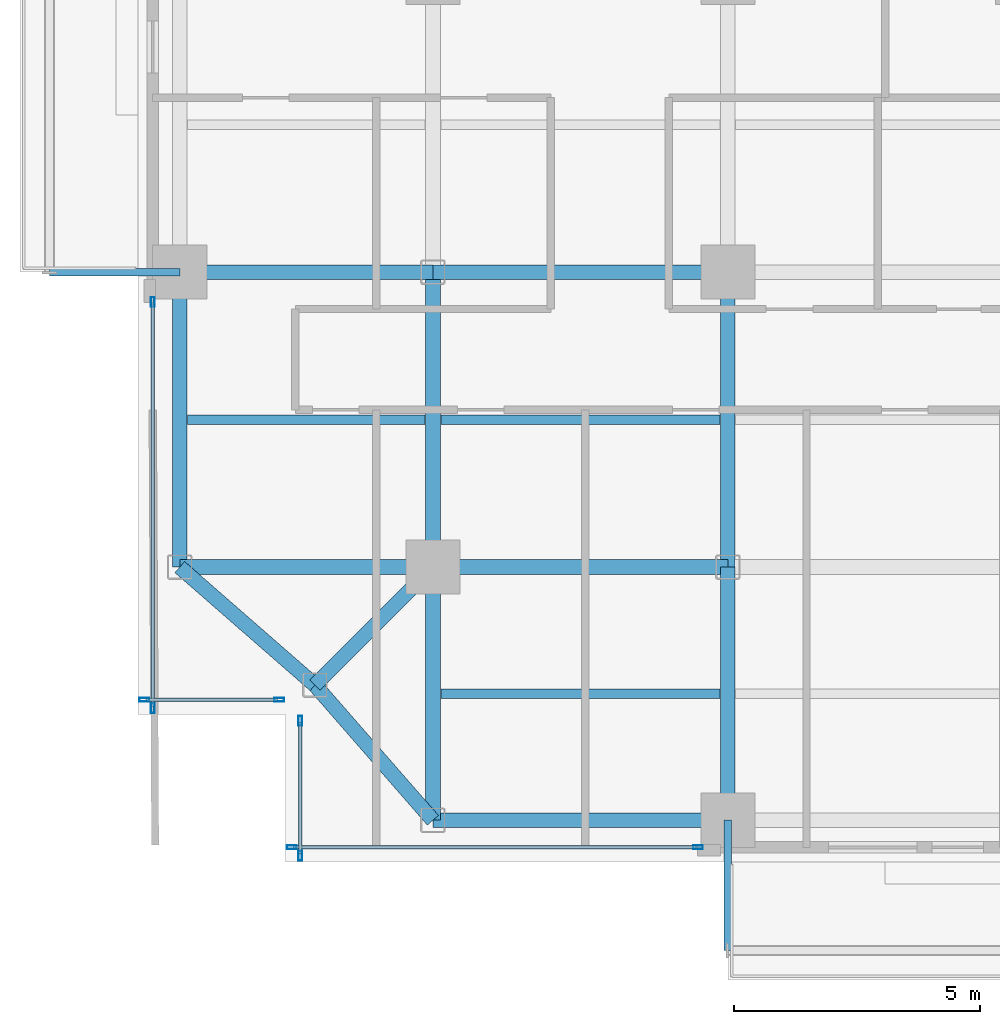
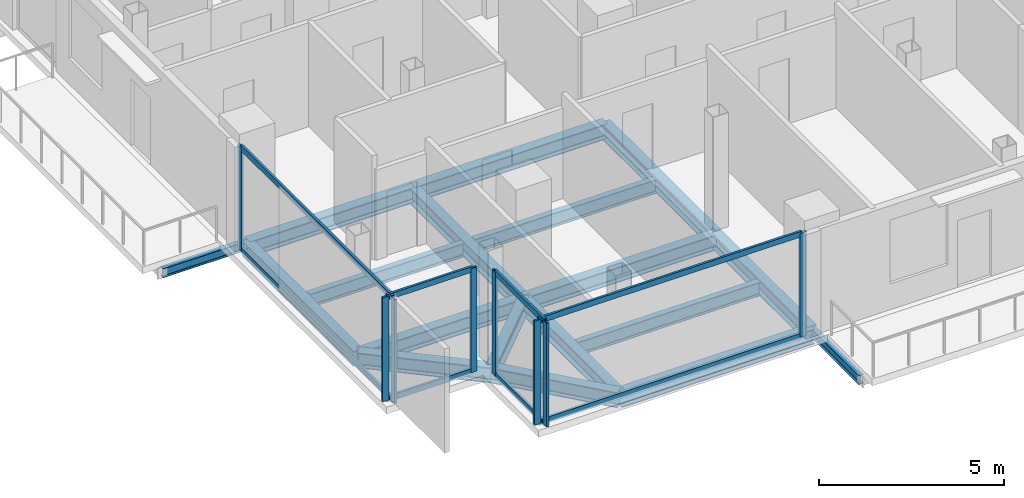
# One storey, part 2 of 24: 18 beams, 16 members, 4 elements without a shape of their own.
"""IFC4 building model written with IfcOpenShell, lengths in metres."""

from ifc_helpers import new_model, si_unit, direction, frame, origin, origin_2d, place, context, subcontext, project, spatial, hollow_rectangle, i_section, extrude, material, layer, layer_set, material_profile, profile_set, type_object, element, aggregate, save


model = new_model("IFC4")

# Units and contexts
model_context = context("Model", 3, precision=1e-05, world=origin(), true_north=direction((0.0, 1.0)))
body_context = subcontext(model_context, "Body", "Model", "MODEL_VIEW")
ifc_project = project(units=[si_unit("LENGTHUNIT", "METRE"), si_unit("AREAUNIT", "SQUARE_METRE"), si_unit("VOLUMEUNIT", "CUBIC_METRE"), si_unit("PLANEANGLEUNIT", "RADIAN"), si_unit("MASSUNIT", "GRAM", prefix="KILO"), si_unit("THERMODYNAMICTEMPERATUREUNIT", "KELVIN"), si_unit("POWERUNIT", "WATT")], contexts=[model_context])

# Site, building, storey
site_placement = place(None, origin())
site = spatial("IfcSite", under=ifc_project, at=site_placement, CompositionType="ELEMENT")
building_placement = place(site_placement, origin())
building = spatial("IfcBuilding", under=site, at=building_placement, Name="Svarakhadi Broadcast Tower", CompositionType="ELEMENT")
storey_placement = place(building_placement, frame((0.0, 0.0, 160.64990234375)))
storey = spatial("IfcBuildingStorey", under=building, at=storey_placement, Name="L39", CompositionType="ELEMENT", Elevation=160.64990234375)

# Beams
ifc_material_1 = material(Name="Steel S355J2 (IS 2062 E350C)", Category="steel")
ifc_material_profile_1 = material_profile(ifc_material_1, i_section(OverallWidth=0.18994140625, OverallDepth=0.449951171875, WebThickness=0.009521484375, FlangeThickness=0.0146484375, FilletRadius=0.02099609375, at=origin_2d()), Name="NPB 450x190x78")
ifc_profile_set_1 = profile_set([ifc_material_profile_1], Name="Steel S355J2 (IS 2062 E350C)")
beam_type_1 = type_object("IfcBeamType", Name="Beam_NPB450", PredefinedType="BEAM", material=ifc_profile_set_1)
beam_1_placement = place(storey_placement, frame((1.010009765625, 9.0, -0.449951171875), z_axis=(1.0, 0.0, 0.0), x_axis=(0.0, 1.0, 0.0)))
element("IfcBeam", 1, at=beam_1_placement, inside=storey, type_object=beam_type_1, Name="L39 Secondary Composite Beam SB001", PredefinedType="BEAM", context=body_context, shape_type="SweptSolid", body=[
    extrude(i_section(OverallWidth=0.18994140625, OverallDepth=0.449951171875, WebThickness=0.009521484375, FlangeThickness=0.0146484375, FilletRadius=0.02099609375, at=origin_2d()), origin(), (0.0, 0.0, 1.0), 4.830078125),
])
for number, where, z_axis, x_axis, name in (
    (2, (6.159912109375, 3.425048828125, -0.449951171875), (1.0, 0.0, 0.0), (0.0, 1.0, 0.0), "L39 Secondary Composite Beam SB006"),
    (3, (6.159912109375, 9.0, -0.449951171875), (1.0, 0.0, 0.0), (0.0, 1.0, 0.0), "L39 Secondary Composite Beam SB007"),
):
    element("IfcBeam", number, at=place(storey_placement, frame(where, z_axis=z_axis, x_axis=x_axis)), inside=storey, type_object=beam_type_1, Name=name, PredefinedType="BEAM", context=body_context, shape_type="SweptSolid", body=[
        extrude(i_section(OverallWidth=0.18994140625, OverallDepth=0.449951171875, WebThickness=0.009521484375, FlangeThickness=0.0146484375, FilletRadius=0.02099609375, at=origin_2d()), origin(), (0.0, 0.0, 1.0), 5.68017578125),
    ])

# Curtain wall, members
ifc_material_2 = material(Name="Anodised Bronze Aluminium AA 6063-T6", Category="aluminium")
ifc_layer = layer(ifc_material_2, 0.199951171875)
ifc_layer_set = layer_set([ifc_layer], Name="Anodised Bronze Aluminium AA 6063-T6")
curtain_wall_type = type_object("IfcCurtainWallType", Name="CW_Sys_03", PredefinedType="NOTDEFINED", material=ifc_layer_set)
curtain_wall_1_placement = place(storey_placement, origin())
curtain_wall_1 = element("IfcCurtainWall", 4, at=curtain_wall_1_placement, inside=storey, type_object=curtain_wall_type, Name="L39 Unitised Facade Curtain Wall 01", PredefinedType="NOTDEFINED")
ifc_material_profile_2 = material_profile(ifc_material_2, hollow_rectangle(XDim=0.074951171875, YDim=0.199951171875, WallThickness=0.005615234375, at=origin_2d()), Name="ALU MULLION 200x75x6")
ifc_profile_set_2 = profile_set([ifc_material_profile_2], Name="Anodised Bronze Aluminium AA 6063-T6")
member_type_1 = type_object("IfcMemberType", Name="CW_Sys_03_Mul", PredefinedType="MULLION", material=ifc_profile_set_2)
member_1_placement = place(storey_placement, frame((2.87255859375, 3.300048828125, 0.0), z_axis=(0.0, 0.0, 1.0), x_axis=(0.0, -1.0, 0.0)))
member_1 = element("IfcMember", 5, at=member_1_placement, type_object=member_type_1, Name="CW-03 mullion 1", PredefinedType="MULLION", context=body_context, shape_type="SweptSolid", body=[
    extrude(hollow_rectangle(XDim=0.074951171875, YDim=0.199951171875, WallThickness=0.005615234375, at=origin_2d()), origin(), (0.0, 0.0, 1.0), 3.425048828125),
])
member_2_placement = place(storey_placement, frame((0.12744140625, 3.300048828125, 0.0), z_axis=(0.0, 0.0, 1.0), x_axis=(0.0, -1.0, 0.0)))
member_2 = element("IfcMember", 6, at=member_2_placement, type_object=member_type_1, Name="CW-03 mullion 2", PredefinedType="MULLION", context=body_context, shape_type="SweptSolid", body=[
    extrude(hollow_rectangle(XDim=0.074951171875, YDim=0.199951171875, WallThickness=0.005615234375, at=origin_2d()), origin(), (0.0, 0.0, 1.0), 3.425048828125),
])

curtain_wall_2_placement = place(storey_placement, origin())
curtain_wall_2 = element("IfcCurtainWall", 7, at=curtain_wall_2_placement, inside=storey, type_object=curtain_wall_type, Name="L39 West Curtain Wall 02", PredefinedType="NOTDEFINED")
member_3_placement = place(storey_placement, frame((0.300048828125, 3.12744140625, 0.0), z_axis=(0.0, 0.0, 1.0), x_axis=(-1.0, 0.0, 0.0)))
member_3 = element("IfcMember", 8, at=member_3_placement, type_object=member_type_1, Name="CW-03 mullion 1", PredefinedType="MULLION", context=body_context, shape_type="SweptSolid", body=[
    extrude(hollow_rectangle(XDim=0.074951171875, YDim=0.199951171875, WallThickness=0.005615234375, at=origin_2d()), origin(), (0.0, 0.0, 1.0), 3.425048828125),
])
member_4_placement = place(storey_placement, frame((0.300048828125, 11.392578125, 0.0), z_axis=(0.0, 0.0, 1.0), x_axis=(-1.0, 0.0, 0.0)))
member_4 = element("IfcMember", 9, at=member_4_placement, type_object=member_type_1, Name="CW-03 mullion 2", PredefinedType="MULLION", context=body_context, shape_type="SweptSolid", body=[
    extrude(hollow_rectangle(XDim=0.074951171875, YDim=0.199951171875, WallThickness=0.005615234375, at=origin_2d()), origin(), (0.0, 0.0, 1.0), 3.425048828125),
])

curtain_wall_3_placement = place(storey_placement, origin())
curtain_wall_3 = element("IfcCurtainWall", 10, at=curtain_wall_3_placement, inside=storey, type_object=curtain_wall_type, Name="L39 South Curtain Wall 17", PredefinedType="NOTDEFINED")
member_5_placement = place(storey_placement, frame((11.392578125, 0.300048828125, 0.0), z_axis=(0.0, 0.0, 1.0), x_axis=(0.0, -1.0, 0.0)))
member_5 = element("IfcMember", 11, at=member_5_placement, type_object=member_type_1, Name="CW-03 mullion 1", PredefinedType="MULLION", context=body_context, shape_type="SweptSolid", body=[
    extrude(hollow_rectangle(XDim=0.074951171875, YDim=0.199951171875, WallThickness=0.005615234375, at=origin_2d()), origin(), (0.0, 0.0, 1.0), 3.425048828125),
])
member_6_placement = place(storey_placement, frame((3.12744140625, 0.300048828125, 0.0), z_axis=(0.0, 0.0, 1.0), x_axis=(0.0, -1.0, 0.0)))
member_6 = element("IfcMember", 12, at=member_6_placement, type_object=member_type_1, Name="CW-03 mullion 2", PredefinedType="MULLION", context=body_context, shape_type="SweptSolid", body=[
    extrude(hollow_rectangle(XDim=0.074951171875, YDim=0.199951171875, WallThickness=0.005615234375, at=origin_2d()), origin(), (0.0, 0.0, 1.0), 3.425048828125),
])

curtain_wall_4_placement = place(storey_placement, origin())
curtain_wall_4 = element("IfcCurtainWall", 13, at=curtain_wall_4_placement, inside=storey, type_object=curtain_wall_type, Name="L39 Unitised Facade Curtain Wall 18", PredefinedType="NOTDEFINED")
member_7_placement = place(storey_placement, frame((3.300048828125, 0.12744140625, 0.0), z_axis=(0.0, 0.0, 1.0), x_axis=(-1.0, 0.0, 0.0)))
member_7 = element("IfcMember", 14, at=member_7_placement, type_object=member_type_1, Name="CW-03 mullion 1", PredefinedType="MULLION", context=body_context, shape_type="SweptSolid", body=[
    extrude(hollow_rectangle(XDim=0.074951171875, YDim=0.199951171875, WallThickness=0.005615234375, at=origin_2d()), origin(), (0.0, 0.0, 1.0), 3.425048828125),
])
member_8_placement = place(storey_placement, frame((3.300048828125, 2.87255859375, 0.0), z_axis=(0.0, 0.0, 1.0), x_axis=(-1.0, 0.0, 0.0)))
member_8 = element("IfcMember", 15, at=member_8_placement, type_object=member_type_1, Name="CW-03 mullion 2", PredefinedType="MULLION", context=body_context, shape_type="SweptSolid", body=[
    extrude(hollow_rectangle(XDim=0.074951171875, YDim=0.199951171875, WallThickness=0.005615234375, at=origin_2d()), origin(), (0.0, 0.0, 1.0), 3.425048828125),
])

# Member
ifc_material_profile_3 = material_profile(ifc_material_2, hollow_rectangle(XDim=0.070068359375, YDim=0.18505859375, WallThickness=0.0048828125, at=origin_2d()), Name="ALU TRANSOM 185x70x5")
ifc_profile_set_3 = profile_set([ifc_material_profile_3], Name="Anodised Bronze Aluminium AA 6063-T6")
member_type_2 = type_object("IfcMemberType", Name="CW_Sys_03_Trn", PredefinedType="USERDEFINED", material=ifc_profile_set_3)
member_9_placement = place(storey_placement, frame((2.8349609375, 3.300048828125, 0.03515625), z_axis=(-1.0, 0.0, 0.0), x_axis=(0.0, -1.0, 0.0)))
member_9 = element("IfcMember", 16, at=member_9_placement, type_object=member_type_2, Name="CW-03 transom 1.1", ObjectType="TRANSOM", PredefinedType="USERDEFINED", context=body_context, shape_type="SweptSolid", body=[
    extrude(hollow_rectangle(XDim=0.070068359375, YDim=0.18505859375, WallThickness=0.0048828125, at=origin_2d()), origin(), (0.0, 0.0, 1.0), 2.669921875),
])

member_10_placement = place(storey_placement, frame((2.8349609375, 3.300048828125, 3.39013671875), z_axis=(-1.0, 0.0, 0.0), x_axis=(0.0, -1.0, 0.0)))
member_10 = element("IfcMember", 17, at=member_10_placement, type_object=member_type_2, Name="CW-03 transom 1.2", ObjectType="TRANSOM", PredefinedType="USERDEFINED", context=body_context, shape_type="SweptSolid", body=[
    extrude(hollow_rectangle(XDim=0.070068359375, YDim=0.18505859375, WallThickness=0.0048828125, at=origin_2d()), origin(), (0.0, 0.0, 1.0), 2.669921875),
])

aggregate(curtain_wall_1, [member_1, member_2, member_9, member_10])

member_11_placement = place(storey_placement, frame((0.300048828125, 3.1650390625, 0.03515625), z_axis=(0.0, 1.0, 0.0), x_axis=(-1.0, 0.0, 0.0)))
member_11 = element("IfcMember", 18, at=member_11_placement, type_object=member_type_2, Name="CW-03 transom 1.1", ObjectType="TRANSOM", PredefinedType="USERDEFINED", context=body_context, shape_type="SweptSolid", body=[
    extrude(hollow_rectangle(XDim=0.070068359375, YDim=0.18505859375, WallThickness=0.0048828125, at=origin_2d()), origin(), (0.0, 0.0, 1.0), 8.18994140625),
])

member_12_placement = place(storey_placement, frame((0.300048828125, 3.1650390625, 3.39013671875), z_axis=(0.0, 1.0, 0.0), x_axis=(-1.0, 0.0, 0.0)))
member_12 = element("IfcMember", 19, at=member_12_placement, type_object=member_type_2, Name="CW-03 transom 1.2", ObjectType="TRANSOM", PredefinedType="USERDEFINED", context=body_context, shape_type="SweptSolid", body=[
    extrude(hollow_rectangle(XDim=0.070068359375, YDim=0.18505859375, WallThickness=0.0048828125, at=origin_2d()), origin(), (0.0, 0.0, 1.0), 8.18994140625),
])

aggregate(curtain_wall_2, [member_3, member_4, member_11, member_12])

member_13_placement = place(storey_placement, frame((11.35498046875, 0.300048828125, 0.03515625), z_axis=(-1.0, 0.0, 0.0), x_axis=(0.0, -1.0, 0.0)))
member_13 = element("IfcMember", 20, at=member_13_placement, type_object=member_type_2, Name="CW-03 transom 1.1", ObjectType="TRANSOM", PredefinedType="USERDEFINED", context=body_context, shape_type="SweptSolid", body=[
    extrude(hollow_rectangle(XDim=0.070068359375, YDim=0.18505859375, WallThickness=0.0048828125, at=origin_2d()), origin(), (0.0, 0.0, 1.0), 8.18994140625),
])

member_14_placement = place(storey_placement, frame((11.35498046875, 0.300048828125, 3.39013671875), z_axis=(-1.0, 0.0, 0.0), x_axis=(0.0, -1.0, 0.0)))
member_14 = element("IfcMember", 21, at=member_14_placement, type_object=member_type_2, Name="CW-03 transom 1.2", ObjectType="TRANSOM", PredefinedType="USERDEFINED", context=body_context, shape_type="SweptSolid", body=[
    extrude(hollow_rectangle(XDim=0.070068359375, YDim=0.18505859375, WallThickness=0.0048828125, at=origin_2d()), origin(), (0.0, 0.0, 1.0), 8.18994140625),
])

aggregate(curtain_wall_3, [member_5, member_6, member_13, member_14])

member_15_placement = place(storey_placement, frame((3.300048828125, 0.1650390625, 0.03515625), z_axis=(0.0, 1.0, 0.0), x_axis=(-1.0, 0.0, 0.0)))
member_15 = element("IfcMember", 22, at=member_15_placement, type_object=member_type_2, Name="CW-03 transom 1.1", ObjectType="TRANSOM", PredefinedType="USERDEFINED", context=body_context, shape_type="SweptSolid", body=[
    extrude(hollow_rectangle(XDim=0.070068359375, YDim=0.18505859375, WallThickness=0.0048828125, at=origin_2d()), origin(), (0.0, 0.0, 1.0), 2.669921875),
])

member_16_placement = place(storey_placement, frame((3.300048828125, 0.1650390625, 3.39013671875), z_axis=(0.0, 1.0, 0.0), x_axis=(-1.0, 0.0, 0.0)))
member_16 = element("IfcMember", 23, at=member_16_placement, type_object=member_type_2, Name="CW-03 transom 1.2", ObjectType="TRANSOM", PredefinedType="USERDEFINED", context=body_context, shape_type="SweptSolid", body=[
    extrude(hollow_rectangle(XDim=0.070068359375, YDim=0.18505859375, WallThickness=0.0048828125, at=origin_2d()), origin(), (0.0, 0.0, 1.0), 2.669921875),
])

aggregate(curtain_wall_4, [member_7, member_8, member_15, member_16])

# Beams
ifc_material_profile_4 = material_profile(ifc_material_1, i_section(OverallWidth=0.300048828125, OverallDepth=0.5, WebThickness=0.014404296875, FlangeThickness=0.028076171875, FilletRadius=0.027099609375, at=origin_2d()), Name="WPB 500x300x187")
ifc_profile_set_4 = profile_set([ifc_material_profile_4], Name="Steel S355J2 (IS 2062 E350C)")
beam_type_2 = type_object("IfcBeamType", Name="Girder_WPB500", PredefinedType="USERDEFINED", material=ifc_profile_set_4)
beam_2_placement = place(storey_placement, frame((3.60009765625, 3.60009765625, -0.474853515625), z_axis=(0.707106781187, 0.707106781187, 0.0), x_axis=(-0.707106781187, 0.707106781187, 0.0)))
element("IfcBeam", 24, at=beam_2_placement, inside=storey, type_object=beam_type_2, Name="L39 Corner Tie Girder G001", ObjectType="GIRDER", PredefinedType="USERDEFINED", context=body_context, shape_type="SweptSolid", body=[
    extrude(i_section(OverallWidth=0.300048828125, OverallDepth=0.5, WebThickness=0.014404296875, FlangeThickness=0.028076171875, FilletRadius=0.027099609375, at=origin_2d()), origin(), (0.0, 0.0, 1.0), 3.39404296875),
])
for number, where, z_axis, x_axis, name in (
    (25, (3.60009765625, 3.60009765625, -0.474853515625), (-0.753437912176, 0.657519058655, 0.0), (-0.657519058655, -0.753437912176, 0.0), "L39 Corner Tie Girder G002"),
    (26, (3.60009765625, 3.60009765625, -0.474853515625), (0.657519058655, -0.753437912176, 0.0), (0.753437912176, 0.657519058655, 0.0), "L39 Corner Tie Girder G003"),
):
    element("IfcBeam", number, at=place(storey_placement, frame(where, z_axis=z_axis, x_axis=x_axis)), inside=storey, type_object=beam_type_2, Name=name, ObjectType="GIRDER", PredefinedType="USERDEFINED", context=body_context, shape_type="SweptSolid", body=[
        extrude(i_section(OverallWidth=0.300048828125, OverallDepth=0.5, WebThickness=0.014404296875, FlangeThickness=0.028076171875, FilletRadius=0.027099609375, at=origin_2d()), origin(), (0.0, 0.0, 1.0), 3.64990234375),
    ])
beam_3_placement = place(storey_placement, frame((6.0, 0.85009765625, -0.474853515625), z_axis=(1.0, 0.0, 0.0), x_axis=(0.0, 1.0, 0.0)))
element("IfcBeam", 27, at=beam_3_placement, inside=storey, type_object=beam_type_2, Name="L39 Primary E-W Girder G004", ObjectType="GIRDER", PredefinedType="USERDEFINED", context=body_context, shape_type="SweptSolid", body=[
    extrude(i_section(OverallWidth=0.300048828125, OverallDepth=0.5, WebThickness=0.014404296875, FlangeThickness=0.028076171875, FilletRadius=0.027099609375, at=origin_2d()), origin(), (0.0, 0.0, 1.0), 6.0),
])
beam_4_placement = place(storey_placement, frame((0.85009765625, 6.0, -0.474853515625), z_axis=(1.0, 0.0, 0.0), x_axis=(0.0, 1.0, 0.0)))
element("IfcBeam", 28, at=beam_4_placement, inside=storey, type_object=beam_type_2, Name="L39 Primary E-W Girder G010", ObjectType="GIRDER", PredefinedType="USERDEFINED", context=body_context, shape_type="SweptSolid", body=[
    extrude(i_section(OverallWidth=0.300048828125, OverallDepth=0.5, WebThickness=0.014404296875, FlangeThickness=0.028076171875, FilletRadius=0.027099609375, at=origin_2d()), origin(), (0.0, 0.0, 1.0), 5.14990234375),
])
beam_5_placement = place(storey_placement, frame((6.0, 6.0, -0.474853515625), z_axis=(1.0, 0.0, 0.0), x_axis=(0.0, 1.0, 0.0)))
element("IfcBeam", 29, at=beam_5_placement, inside=storey, type_object=beam_type_2, Name="L39 Primary E-W Girder G011", ObjectType="GIRDER", PredefinedType="USERDEFINED", context=body_context, shape_type="SweptSolid", body=[
    extrude(i_section(OverallWidth=0.300048828125, OverallDepth=0.5, WebThickness=0.014404296875, FlangeThickness=0.028076171875, FilletRadius=0.027099609375, at=origin_2d()), origin(), (0.0, 0.0, 1.0), 6.0),
])
beam_6_placement = place(storey_placement, frame((0.85009765625, 12.0, -0.474853515625), z_axis=(1.0, 0.0, 0.0), x_axis=(0.0, 1.0, 0.0)))
element("IfcBeam", 30, at=beam_6_placement, inside=storey, type_object=beam_type_2, Name="L39 Primary E-W Girder G017", ObjectType="GIRDER", PredefinedType="USERDEFINED", context=body_context, shape_type="SweptSolid", body=[
    extrude(i_section(OverallWidth=0.300048828125, OverallDepth=0.5, WebThickness=0.014404296875, FlangeThickness=0.028076171875, FilletRadius=0.027099609375, at=origin_2d()), origin(), (0.0, 0.0, 1.0), 5.14990234375),
])
for number, where, z_axis, x_axis, name in (
    (31, (6.0, 12.0, -0.474853515625), (1.0, 0.0, 0.0), (0.0, 1.0, 0.0), "L39 Primary E-W Girder G018"),
    (32, (0.85009765625, 6.0, -0.474853515625), (0.0, 1.0, 0.0), (-1.0, 0.0, 0.0), "L39 Primary N-S Girder G040"),
):
    element("IfcBeam", number, at=place(storey_placement, frame(where, z_axis=z_axis, x_axis=x_axis)), inside=storey, type_object=beam_type_2, Name=name, ObjectType="GIRDER", PredefinedType="USERDEFINED", context=body_context, shape_type="SweptSolid", body=[
        extrude(i_section(OverallWidth=0.300048828125, OverallDepth=0.5, WebThickness=0.014404296875, FlangeThickness=0.028076171875, FilletRadius=0.027099609375, at=origin_2d()), origin(), (0.0, 0.0, 1.0), 6.0),
    ])
beam_7_placement = place(storey_placement, frame((6.0, 0.85009765625, -0.474853515625), z_axis=(0.0, 1.0, 0.0), x_axis=(-1.0, 0.0, 0.0)))
element("IfcBeam", 33, at=beam_7_placement, inside=storey, type_object=beam_type_2, Name="L39 Primary N-S Girder G045", ObjectType="GIRDER", PredefinedType="USERDEFINED", context=body_context, shape_type="SweptSolid", body=[
    extrude(i_section(OverallWidth=0.300048828125, OverallDepth=0.5, WebThickness=0.014404296875, FlangeThickness=0.028076171875, FilletRadius=0.027099609375, at=origin_2d()), origin(), (0.0, 0.0, 1.0), 5.14990234375),
])
beam_8_placement = place(storey_placement, frame((6.0, 6.0, -0.474853515625), z_axis=(0.0, 1.0, 0.0), x_axis=(-1.0, 0.0, 0.0)))
element("IfcBeam", 34, at=beam_8_placement, inside=storey, type_object=beam_type_2, Name="L39 Primary N-S Girder G046", ObjectType="GIRDER", PredefinedType="USERDEFINED", context=body_context, shape_type="SweptSolid", body=[
    extrude(i_section(OverallWidth=0.300048828125, OverallDepth=0.5, WebThickness=0.014404296875, FlangeThickness=0.028076171875, FilletRadius=0.027099609375, at=origin_2d()), origin(), (0.0, 0.0, 1.0), 6.0),
])
beam_9_placement = place(storey_placement, frame((12.0, 0.85009765625, -0.474853515625), z_axis=(0.0, 1.0, 0.0), x_axis=(-1.0, 0.0, 0.0)))
element("IfcBeam", 35, at=beam_9_placement, inside=storey, type_object=beam_type_2, Name="L39 Primary N-S Girder G051", ObjectType="GIRDER", PredefinedType="USERDEFINED", context=body_context, shape_type="SweptSolid", body=[
    extrude(i_section(OverallWidth=0.300048828125, OverallDepth=0.5, WebThickness=0.014404296875, FlangeThickness=0.028076171875, FilletRadius=0.027099609375, at=origin_2d()), origin(), (0.0, 0.0, 1.0), 5.14990234375),
])
beam_10_placement = place(storey_placement, frame((12.0, 6.0, -0.474853515625), z_axis=(0.0, 1.0, 0.0), x_axis=(-1.0, 0.0, 0.0)))
element("IfcBeam", 36, at=beam_10_placement, inside=storey, type_object=beam_type_2, Name="L39 Primary N-S Girder G052", ObjectType="GIRDER", PredefinedType="USERDEFINED", context=body_context, shape_type="SweptSolid", body=[
    extrude(i_section(OverallWidth=0.300048828125, OverallDepth=0.5, WebThickness=0.014404296875, FlangeThickness=0.028076171875, FilletRadius=0.027099609375, at=origin_2d()), origin(), (0.0, 0.0, 1.0), 6.0),
])
ifc_material_profile_5 = material_profile(ifc_material_1, i_section(OverallWidth=0.14990234375, OverallDepth=0.300048828125, WebThickness=0.007080078125, FlangeThickness=0.0107421875, FilletRadius=0.014892578125, at=origin_2d()), Name="NPB 300x150x37")
ifc_profile_set_5 = profile_set([ifc_material_profile_5], Name="Steel S355J2 (IS 2062 E350C)")
beam_type_3 = type_object("IfcBeamType", Name="Spandrel_NPB300", PredefinedType="SPANDREL", material=ifc_profile_set_5)
for number, where, z_axis, x_axis, name in (
    (37, (12.0, 0.85009765625, -0.375), (0.0, -1.0, 0.0), (1.0, 0.0, 0.0), "L39 Balcony Cantilever Bracket 1A"),
    (38, (0.85009765625, 12.0, -0.375), (-1.0, 0.0, 0.0), (0.0, -1.0, 0.0), "L39 Balcony Cantilever Bracket 2A"),
):
    element("IfcBeam", number, at=place(storey_placement, frame(where, z_axis=z_axis, x_axis=x_axis)), inside=storey, type_object=beam_type_3, Name=name, PredefinedType="SPANDREL", context=body_context, shape_type="SweptSolid", body=[
        extrude(i_section(OverallWidth=0.14990234375, OverallDepth=0.300048828125, WebThickness=0.007080078125, FlangeThickness=0.0107421875, FilletRadius=0.014892578125, at=origin_2d()), origin(), (0.0, 0.0, 1.0), 2.650146484375),
    ])

save(model, "model.ifc")
